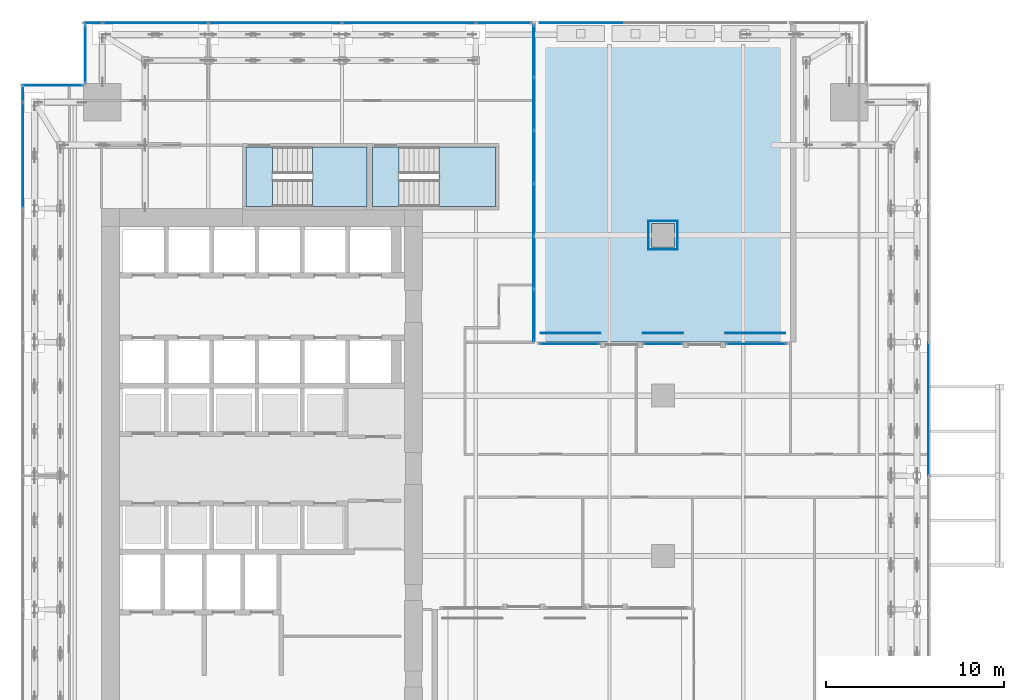
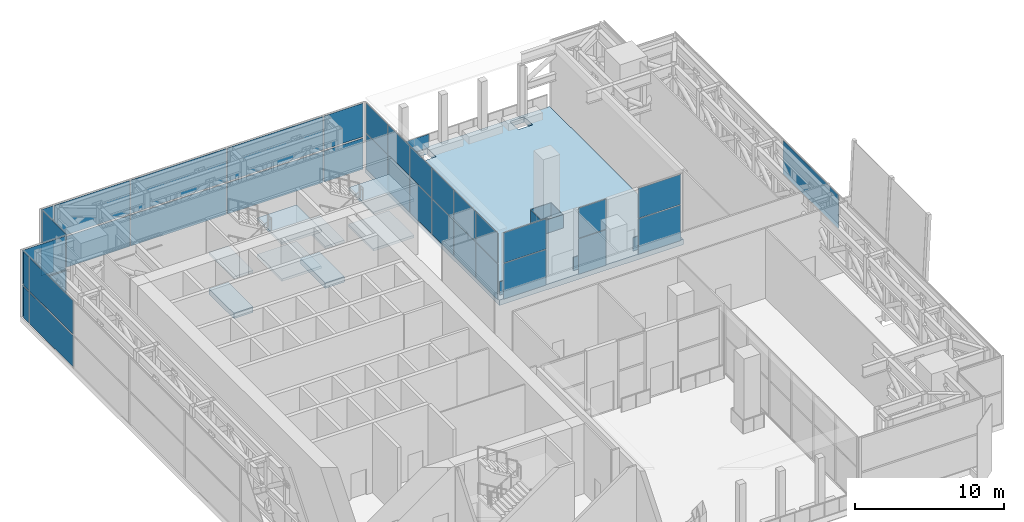
# One storey, part 34 of 47: 45 plates, 9 slabs, 11 elements without a shape of their own.
"""IFC4 building model written with IfcOpenShell, lengths in metres."""

from ifc_helpers import new_model, si_unit, direction, frame, origin, origin_2d, place, context, subcontext, project, spatial, polyline, rectangle, outline, extrude, source, transform, mapped, material, layer, layer_set, type_object, element, aggregate, save


model = new_model("IFC4")

# Units and contexts
model_context = context("Model", 3, precision=1e-05, world=origin(), true_north=direction((0.0, 1.0)))
body_context = subcontext(model_context, "Body", "Model", "MODEL_VIEW")
ifc_project = project(units=[si_unit("LENGTHUNIT", "METRE"), si_unit("AREAUNIT", "SQUARE_METRE"), si_unit("VOLUMEUNIT", "CUBIC_METRE"), si_unit("PLANEANGLEUNIT", "RADIAN"), si_unit("MASSUNIT", "GRAM", prefix="KILO")], contexts=[model_context])

# Site, building, storey
site_placement = place(None, origin())
site = spatial("IfcSite", under=ifc_project, at=site_placement, CompositionType="ELEMENT")
building_placement = place(site_placement, origin())
building = spatial("IfcBuilding", under=site, at=building_placement, Name="Khomas Fold Tower", CompositionType="ELEMENT")
storey_placement = place(building_placement, frame((0.0, 0.0, 158.699951171875)))
storey = spatial("IfcBuildingStorey", under=building, at=storey_placement, Name="L34", CompositionType="ELEMENT", Elevation=158.699951171875)

# Slab
ifc_material_1 = material(Name="Concrete C40/50", Category="concrete")
ifc_layer_1 = layer(ifc_material_1, 0.449951171875)
ifc_layer_set_1 = layer_set([ifc_layer_1], Name="Concrete C40/50")
slab_type_1 = type_object("IfcSlabType", Name="RC terrace slab 450", PredefinedType="FLOOR", material=ifc_layer_set_1)
shared_shape_1 = source(origin(), body_context, "Body", "SweptSolid", [
    extrude(outline(polyline([(30.35009765625, 34.5), (44.64990234375, 34.5), (44.64990234375, 52.5), (30.35009765625, 52.5), (30.35009765625, 34.5)]), holes=[polyline([(33.945068359375, 51.195068359375), (33.945068359375, 52.304931640625), (35.054931640625, 52.304931640625), (35.054931640625, 51.195068359375), (33.945068359375, 51.195068359375)]), polyline([(36.844970703125, 39.844970703125), (36.844970703125, 41.155029296875), (38.155029296875, 41.155029296875), (38.155029296875, 39.844970703125), (36.844970703125, 39.844970703125)]), polyline([(41.445068359375, 51.195068359375), (41.445068359375, 52.304931640625), (42.554931640625, 52.304931640625), (42.554931640625, 51.195068359375), (41.445068359375, 51.195068359375)])]), origin(), (0.0, 0.0, 1.0), 0.449951171875),
])
slab_1_placement = place(storey_placement, frame((0.0, 0.0, -0.449951171875)))
element("IfcSlab", 1, at=slab_1_placement, inside=storey, type_object=slab_type_1, Name="Garden terrace slab", PredefinedType="FLOOR", context=body_context, shape_type="MappedRepresentation", body=[
    mapped(shared_shape_1, transform((0.0, 0.0, 0.0))),
])

# Curtain wall, plates
ifc_material_2 = material(Name="Aluminium framed double glazing", Category="aluminium")
curtain_wall_type_1 = type_object("IfcCurtainWallType", Name="SK-Unitised clear-glass wall, growing floors CW1", PredefinedType="NOTDEFINED", material=ifc_material_2)
curtain_wall_1_placement = place(storey_placement, origin())
curtain_wall_1 = element("IfcCurtainWall", 2, at=curtain_wall_1_placement, inside=storey, type_object=curtain_wall_type_1, Name="CW1 corner return L34 17", PredefinedType="NOTDEFINED")
ifc_material_3 = material(Name="Insulated metal spandrel panel")
ifc_layer_2 = layer(ifc_material_3, 0.031982421875)
ifc_layer_set_2 = layer_set([ifc_layer_2], Name="Insulated metal spandrel panel")
plate_type_1 = type_object("IfcPlateType", Name="SK-Unitised clear-glass wall, growing floors spandrel panel CW1-S", PredefinedType="CURTAIN_PANEL", material=ifc_layer_set_2)
shared_shape_2 = source(origin(), body_context, "Body", "SweptSolid", [
    extrude(rectangle(XDim=3.3798828125, YDim=0.031982421875, at=origin_2d()), origin(), (0.0, 0.0, 1.0), 2.752685546875),
])
plate_1_placement = place(storey_placement, frame((3.25, 48.89990234375, 2.67724609375), z_axis=(0.0, 0.0, 1.0), x_axis=(-1.0, 0.0, 0.0)))
plate_1 = element("IfcPlate", 3, at=plate_1_placement, type_object=plate_type_1, Name="CW1 spandrel panel 1", PredefinedType="CURTAIN_PANEL", context=body_context, shape_type="MappedRepresentation", body=[
    mapped(shared_shape_2, transform((0.0, 0.0, 0.0))),
])
ifc_material_4 = material(Name="Clear double glazed unit")
ifc_layer_3 = layer(ifc_material_4, 0.031982421875)
ifc_layer_set_3 = layer_set([ifc_layer_3], Name="Clear double glazed unit")
plate_type_2 = type_object("IfcPlateType", Name="SK-Unitised clear-glass wall, growing floors glass panel CW1-P", PredefinedType="CURTAIN_PANEL", material=ifc_layer_set_3)
shared_shape_3 = source(origin(), body_context, "Body", "SweptSolid", [
    extrude(rectangle(XDim=3.3798828125, YDim=0.031982421875, at=origin_2d()), origin(), (0.0, 0.0, 1.0), 2.55712890625),
])
plate_2_placement = place(storey_placement, frame((3.25, 48.89990234375, 0.0), z_axis=(0.0, 0.0, 1.0), x_axis=(-1.0, 0.0, 0.0)))
plate_2 = element("IfcPlate", 4, at=plate_2_placement, type_object=plate_type_2, Name="CW1 glass panel 1", PredefinedType="CURTAIN_PANEL", context=body_context, shape_type="MappedRepresentation", body=[
    mapped(shared_shape_3, transform((0.0, 0.0, 0.0))),
])
aggregate(curtain_wall_1, [plate_1, plate_2])

curtain_wall_2_placement = place(storey_placement, origin())
curtain_wall_2 = element("IfcCurtainWall", 5, at=curtain_wall_2_placement, inside=storey, type_object=curtain_wall_type_1, Name="CW1 run L34 18-0", PredefinedType="NOTDEFINED")
shared_shape_4 = source(origin(), body_context, "Body", "SweptSolid", [
    extrude(rectangle(XDim=0.760009765625, YDim=0.031982421875, at=origin_2d()), origin(), (0.0, 0.0, 1.0), 2.752685546875),
])
plate_3_placement = place(storey_placement, frame((1.60009765625, 48.360107421875, 2.67724609375), z_axis=(0.0, 0.0, 1.0), x_axis=(0.0, -1.0, 0.0)))
plate_3 = element("IfcPlate", 6, at=plate_3_placement, type_object=plate_type_1, Name="CW1 spandrel panel 1", PredefinedType="CURTAIN_PANEL", context=body_context, shape_type="MappedRepresentation", body=[
    mapped(shared_shape_4, transform((0.0, 0.0, 0.0))),
])
shared_shape_5 = source(origin(), body_context, "Body", "SweptSolid", [
    extrude(rectangle(XDim=0.760009765625, YDim=0.031982421875, at=origin_2d()), origin(), (0.0, 0.0, 1.0), 2.55712890625),
])
plate_4_placement = place(storey_placement, frame((1.60009765625, 48.360107421875, 0.0), z_axis=(0.0, 0.0, 1.0), x_axis=(0.0, -1.0, 0.0)))
plate_4 = element("IfcPlate", 7, at=plate_4_placement, type_object=plate_type_2, Name="CW1 glass panel 1", PredefinedType="CURTAIN_PANEL", context=body_context, shape_type="MappedRepresentation", body=[
    mapped(shared_shape_5, transform((0.0, 0.0, 0.0))),
])

# Curtain wall, plate
curtain_wall_3_placement = place(storey_placement, origin())
curtain_wall_3 = element("IfcCurtainWall", 8, at=curtain_wall_3_placement, inside=storey, type_object=curtain_wall_type_1, Name="CW1 run L34 15-0", PredefinedType="NOTDEFINED")
shared_shape_6 = source(origin(), body_context, "Body", "SweptSolid", [
    extrude(rectangle(XDim=5.889892578125, YDim=0.031982421875, at=origin_2d()), origin(), (0.0, 0.0, 1.0), 2.752685546875),
])
plate_5_placement = place(storey_placement, frame((9.02490234375, 52.39990234375, 2.67724609375), z_axis=(0.0, 0.0, 1.0), x_axis=(-1.0, 0.0, 0.0)))
plate_5 = element("IfcPlate", 9, at=plate_5_placement, type_object=plate_type_1, Name="CW1 spandrel panel 4", PredefinedType="CURTAIN_PANEL", context=body_context, shape_type="MappedRepresentation", body=[
    mapped(shared_shape_6, transform((0.0, 0.0, 0.0))),
])

# Plate
plate_6_placement = place(storey_placement, frame((1.60009765625, 44.97509765625, 2.67724609375), z_axis=(0.0, 0.0, 1.0), x_axis=(0.0, -1.0, 0.0)))
plate_6 = element("IfcPlate", 10, at=plate_6_placement, type_object=plate_type_1, Name="CW1 spandrel panel 2", PredefinedType="CURTAIN_PANEL", context=body_context, shape_type="MappedRepresentation", body=[
    mapped(shared_shape_6, transform((0.0, 0.0, 0.0))),
])

shared_shape_7 = source(origin(), body_context, "Body", "SweptSolid", [
    extrude(rectangle(XDim=5.889892578125, YDim=0.031982421875, at=origin_2d()), origin(), (0.0, 0.0, 1.0), 2.55712890625),
])
plate_7_placement = place(storey_placement, frame((9.02490234375, 52.39990234375, 0.0), z_axis=(0.0, 0.0, 1.0), x_axis=(-1.0, 0.0, 0.0)))
plate_7 = element("IfcPlate", 11, at=plate_7_placement, type_object=plate_type_2, Name="CW1 glass panel 4", PredefinedType="CURTAIN_PANEL", context=body_context, shape_type="MappedRepresentation", body=[
    mapped(shared_shape_7, transform((0.0, 0.0, 0.0))),
])

plate_8_placement = place(storey_placement, frame((1.60009765625, 44.97509765625, 0.0), z_axis=(0.0, 0.0, 1.0), x_axis=(0.0, -1.0, 0.0)))
plate_8 = element("IfcPlate", 12, at=plate_8_placement, type_object=plate_type_2, Name="CW1 glass panel 2", PredefinedType="CURTAIN_PANEL", context=body_context, shape_type="MappedRepresentation", body=[
    mapped(shared_shape_7, transform((0.0, 0.0, 0.0))),
])

aggregate(curtain_wall_2, [plate_3, plate_4, plate_6, plate_8])

# Curtain wall, plate
curtain_wall_4_placement = place(storey_placement, origin())
curtain_wall_4 = element("IfcCurtainWall", 13, at=curtain_wall_4_placement, inside=storey, type_object=curtain_wall_type_1, Name="CW1 run L34 08-0", PredefinedType="NOTDEFINED")
shared_shape_8 = source(origin(), body_context, "Body", "SweptSolid", [
    extrude(rectangle(XDim=7.43994140625, YDim=0.031982421875, at=origin_2d()), origin(), (0.0, 0.0, 1.0), 2.752685546875),
])
plate_9_placement = place(storey_placement, frame((52.39990234375, 30.75, 2.67724609375), z_axis=(0.0, 0.0, 1.0), x_axis=(0.0, 1.0, 0.0)))
plate_9 = element("IfcPlate", 14, at=plate_9_placement, type_object=plate_type_1, Name="CW1 spandrel panel 5", PredefinedType="CURTAIN_PANEL", context=body_context, shape_type="MappedRepresentation", body=[
    mapped(shared_shape_8, transform((0.0, 0.0, 0.0))),
])
aggregate(curtain_wall_4, [plate_9])

# Plate
plate_10_placement = place(storey_placement, frame((23.25, 52.39990234375, 2.67724609375), z_axis=(0.0, 0.0, 1.0), x_axis=(-1.0, 0.0, 0.0)))
plate_10 = element("IfcPlate", 15, at=plate_10_placement, type_object=plate_type_1, Name="CW1 spandrel panel 2", PredefinedType="CURTAIN_PANEL", context=body_context, shape_type="MappedRepresentation", body=[
    mapped(shared_shape_8, transform((0.0, 0.0, 0.0))),
])

plate_11_placement = place(storey_placement, frame((15.75, 52.39990234375, 2.67724609375), z_axis=(0.0, 0.0, 1.0), x_axis=(-1.0, 0.0, 0.0)))
plate_11 = element("IfcPlate", 16, at=plate_11_placement, type_object=plate_type_1, Name="CW1 spandrel panel 3", PredefinedType="CURTAIN_PANEL", context=body_context, shape_type="MappedRepresentation", body=[
    mapped(shared_shape_8, transform((0.0, 0.0, 0.0))),
])

shared_shape_9 = source(origin(), body_context, "Body", "SweptSolid", [
    extrude(rectangle(XDim=7.43994140625, YDim=0.031982421875, at=origin_2d()), origin(), (0.0, 0.0, 1.0), 2.55712890625),
])
plate_12_placement = place(storey_placement, frame((23.25, 52.39990234375, 0.0), z_axis=(0.0, 0.0, 1.0), x_axis=(-1.0, 0.0, 0.0)))
plate_12 = element("IfcPlate", 17, at=plate_12_placement, type_object=plate_type_2, Name="CW1 glass panel 2", PredefinedType="CURTAIN_PANEL", context=body_context, shape_type="MappedRepresentation", body=[
    mapped(shared_shape_9, transform((0.0, 0.0, 0.0))),
])

plate_13_placement = place(storey_placement, frame((15.75, 52.39990234375, 0.0), z_axis=(0.0, 0.0, 1.0), x_axis=(-1.0, 0.0, 0.0)))
plate_13 = element("IfcPlate", 18, at=plate_13_placement, type_object=plate_type_2, Name="CW1 glass panel 3", PredefinedType="CURTAIN_PANEL", context=body_context, shape_type="MappedRepresentation", body=[
    mapped(shared_shape_9, transform((0.0, 0.0, 0.0))),
])

# Curtain wall, plates
curtain_wall_5_placement = place(storey_placement, origin())
curtain_wall_5 = element("IfcCurtainWall", 19, at=curtain_wall_5_placement, inside=storey, type_object=curtain_wall_type_1, Name="CW1 corner return L34 16", PredefinedType="NOTDEFINED")
shared_shape_10 = source(origin(), body_context, "Body", "SweptSolid", [
    extrude(rectangle(XDim=3.179931640625, YDim=0.031982421875, at=origin_2d()), origin(), (0.0, 0.0, 1.0), 2.752685546875),
])
plate_14_placement = place(storey_placement, frame((5.10009765625, 50.64990234375, 2.67724609375), z_axis=(0.0, 0.0, 1.0), x_axis=(0.0, -1.0, 0.0)))
plate_14 = element("IfcPlate", 20, at=plate_14_placement, type_object=plate_type_1, Name="CW1 spandrel panel 1", PredefinedType="CURTAIN_PANEL", context=body_context, shape_type="MappedRepresentation", body=[
    mapped(shared_shape_10, transform((0.0, 0.0, 0.0))),
])
shared_shape_11 = source(origin(), body_context, "Body", "SweptSolid", [
    extrude(rectangle(XDim=3.179931640625, YDim=0.031982421875, at=origin_2d()), origin(), (0.0, 0.0, 1.0), 2.55712890625),
])
plate_15_placement = place(storey_placement, frame((5.10009765625, 50.64990234375, 0.0), z_axis=(0.0, 0.0, 1.0), x_axis=(0.0, -1.0, 0.0)))
plate_15 = element("IfcPlate", 21, at=plate_15_placement, type_object=plate_type_2, Name="CW1 glass panel 1", PredefinedType="CURTAIN_PANEL", context=body_context, shape_type="MappedRepresentation", body=[
    mapped(shared_shape_11, transform((0.0, 0.0, 0.0))),
])
aggregate(curtain_wall_5, [plate_14, plate_15])

# Plate
shared_shape_12 = source(origin(), body_context, "Body", "SweptSolid", [
    extrude(rectangle(XDim=0.9599609375, YDim=0.031982421875, at=origin_2d()), origin(), (0.0, 0.0, 1.0), 2.752685546875),
])
plate_16_placement = place(storey_placement, frame((5.5400390625, 52.39990234375, 2.67724609375), z_axis=(0.0, 0.0, 1.0), x_axis=(-1.0, 0.0, 0.0)))
plate_16 = element("IfcPlate", 22, at=plate_16_placement, type_object=plate_type_1, Name="CW1 spandrel panel 5", PredefinedType="CURTAIN_PANEL", context=body_context, shape_type="MappedRepresentation", body=[
    mapped(shared_shape_12, transform((0.0, 0.0, 0.0))),
])

shared_shape_13 = source(origin(), body_context, "Body", "SweptSolid", [
    extrude(rectangle(XDim=0.9599609375, YDim=0.031982421875, at=origin_2d()), origin(), (0.0, 0.0, 1.0), 2.55712890625),
])
plate_17_placement = place(storey_placement, frame((5.5400390625, 52.39990234375, 0.0), z_axis=(0.0, 0.0, 1.0), x_axis=(-1.0, 0.0, 0.0)))
plate_17 = element("IfcPlate", 23, at=plate_17_placement, type_object=plate_type_2, Name="CW1 glass panel 5", PredefinedType="CURTAIN_PANEL", context=body_context, shape_type="MappedRepresentation", body=[
    mapped(shared_shape_13, transform((0.0, 0.0, 0.0))),
])

shared_shape_14 = source(origin(), body_context, "Body", "SweptSolid", [
    extrude(rectangle(XDim=3.06005859375, YDim=0.031982421875, at=origin_2d()), origin(), (0.0, 0.0, 1.0), 2.752685546875),
])
plate_18_placement = place(storey_placement, frame((28.56005859375, 52.39990234375, 2.67724609375), z_axis=(0.0, 0.0, 1.0), x_axis=(-1.0, 0.0, 0.0)))
plate_18 = element("IfcPlate", 24, at=plate_18_placement, type_object=plate_type_1, Name="CW1 spandrel panel 1", PredefinedType="CURTAIN_PANEL", context=body_context, shape_type="MappedRepresentation", body=[
    mapped(shared_shape_14, transform((0.0, 0.0, 0.0))),
])

shared_shape_15 = source(origin(), body_context, "Body", "SweptSolid", [
    extrude(rectangle(XDim=3.06005859375, YDim=0.031982421875, at=origin_2d()), origin(), (0.0, 0.0, 1.0), 2.55712890625),
])
plate_19_placement = place(storey_placement, frame((28.56005859375, 52.39990234375, 0.0), z_axis=(0.0, 0.0, 1.0), x_axis=(-1.0, 0.0, 0.0)))
plate_19 = element("IfcPlate", 25, at=plate_19_placement, type_object=plate_type_2, Name="CW1 glass panel 1", PredefinedType="CURTAIN_PANEL", context=body_context, shape_type="MappedRepresentation", body=[
    mapped(shared_shape_15, transform((0.0, 0.0, 0.0))),
])

aggregate(curtain_wall_3, [plate_18, plate_19, plate_10, plate_12, plate_11, plate_13, plate_5, plate_7, plate_16, plate_17])

# Curtain wall, plate
ifc_material_5 = material(Name="Aluminium framed double glazing", Category="aluminium")
curtain_wall_type_2 = type_object("IfcCurtainWallType", Name="Notch glazing GN-CW", PredefinedType="NOTDEFINED", material=ifc_material_5)
curtain_wall_6_placement = place(storey_placement, origin())
curtain_wall_6 = element("IfcCurtainWall", 26, at=curtain_wall_6_placement, inside=storey, type_object=curtain_wall_type_2, Name="Notch glazing run", PredefinedType="NOTDEFINED")
ifc_material_6 = material(Name="Double glazed unit")
ifc_layer_4 = layer(ifc_material_6, 0.031982421875)
ifc_layer_set_4 = layer_set([ifc_layer_4], Name="Double glazed unit")
plate_type_3 = type_object("IfcPlateType", Name="Notch glazing panel GN-CW-P", PredefinedType="CURTAIN_PANEL", material=ifc_layer_set_4)
shared_shape_16 = source(origin(), body_context, "Body", "SweptSolid", [
    extrude(rectangle(XDim=3.313232421875, YDim=0.031982421875, at=origin_2d()), origin(), (0.0, 0.0, 1.0), 2.909912109375),
])
plate_20_placement = place(storey_placement, frame((42.7333984375, 34.39990234375, 0.06005859375), z_axis=(0.0, 0.0, 1.0), x_axis=(-1.0, 0.0, 0.0)))
plate_20 = element("IfcPlate", 27, at=plate_20_placement, type_object=plate_type_3, Name="GN-CW panel 1.1", PredefinedType="CURTAIN_PANEL", context=body_context, shape_type="MappedRepresentation", body=[
    mapped(shared_shape_16, transform((0.0, 0.0, 0.0))),
])

curtain_wall_7_placement = place(storey_placement, origin())
curtain_wall_7 = element("IfcCurtainWall", 28, at=curtain_wall_7_placement, inside=storey, type_object=curtain_wall_type_2, Name="Notch glazing run", PredefinedType="NOTDEFINED")
plate_21_placement = place(storey_placement, frame((32.2666015625, 34.39990234375, 0.06005859375), z_axis=(0.0, 0.0, 1.0), x_axis=(-1.0, 0.0, 0.0)))
plate_21 = element("IfcPlate", 29, at=plate_21_placement, type_object=plate_type_3, Name="GN-CW panel 1.1", PredefinedType="CURTAIN_PANEL", context=body_context, shape_type="MappedRepresentation", body=[
    mapped(shared_shape_16, transform((0.0, 0.0, 0.0))),
])

# Plate
shared_shape_17 = source(origin(), body_context, "Body", "SweptSolid", [
    extrude(rectangle(XDim=3.313232421875, YDim=0.031982421875, at=origin_2d()), origin(), (0.0, 0.0, 1.0), 2.4599609375),
])
plate_22_placement = place(storey_placement, frame((42.7333984375, 34.39990234375, 3.030029296875), z_axis=(0.0, 0.0, 1.0), x_axis=(-1.0, 0.0, 0.0)))
plate_22 = element("IfcPlate", 30, at=plate_22_placement, type_object=plate_type_3, Name="GN-CW panel 1.2", PredefinedType="CURTAIN_PANEL", context=body_context, shape_type="MappedRepresentation", body=[
    mapped(shared_shape_17, transform((0.0, 0.0, 0.0))),
])

aggregate(curtain_wall_6, [plate_20, plate_22])

plate_23_placement = place(storey_placement, frame((32.2666015625, 34.39990234375, 3.030029296875), z_axis=(0.0, 0.0, 1.0), x_axis=(-1.0, 0.0, 0.0)))
plate_23 = element("IfcPlate", 31, at=plate_23_placement, type_object=plate_type_3, Name="GN-CW panel 1.2", PredefinedType="CURTAIN_PANEL", context=body_context, shape_type="MappedRepresentation", body=[
    mapped(shared_shape_17, transform((0.0, 0.0, 0.0))),
])

aggregate(curtain_wall_7, [plate_21, plate_23])

# Curtain wall, plates
curtain_wall_8_placement = place(storey_placement, origin())
curtain_wall_8 = element("IfcCurtainWall", 32, at=curtain_wall_8_placement, inside=storey, type_object=curtain_wall_type_2, Name="Notch glazing run", PredefinedType="NOTDEFINED")
shared_shape_18 = source(origin(), body_context, "Body", "SweptSolid", [
    extrude(rectangle(XDim=2.11328125, YDim=0.031982421875, at=origin_2d()), origin(), (0.0, 0.0, 1.0), 2.909912109375),
])
plate_24_placement = place(storey_placement, frame((37.5, 34.39990234375, 0.06005859375), z_axis=(0.0, 0.0, 1.0), x_axis=(-1.0, 0.0, 0.0)))
plate_24 = element("IfcPlate", 33, at=plate_24_placement, type_object=plate_type_3, Name="GN-CW panel 1.1", PredefinedType="CURTAIN_PANEL", context=body_context, shape_type="MappedRepresentation", body=[
    mapped(shared_shape_18, transform((0.0, 0.0, 0.0))),
])
shared_shape_19 = source(origin(), body_context, "Body", "SweptSolid", [
    extrude(rectangle(XDim=2.11328125, YDim=0.031982421875, at=origin_2d()), origin(), (0.0, 0.0, 1.0), 2.4599609375),
])
plate_25_placement = place(storey_placement, frame((37.5, 34.39990234375, 3.030029296875), z_axis=(0.0, 0.0, 1.0), x_axis=(-1.0, 0.0, 0.0)))
plate_25 = element("IfcPlate", 34, at=plate_25_placement, type_object=plate_type_3, Name="GN-CW panel 1.2", PredefinedType="CURTAIN_PANEL", context=body_context, shape_type="MappedRepresentation", body=[
    mapped(shared_shape_19, transform((0.0, 0.0, 0.0))),
])
aggregate(curtain_wall_8, [plate_24, plate_25])

curtain_wall_9_placement = place(storey_placement, origin())
curtain_wall_9 = element("IfcCurtainWall", 35, at=curtain_wall_9_placement, inside=storey, type_object=curtain_wall_type_2, Name="Notch glazing run", PredefinedType="NOTDEFINED")
shared_shape_20 = source(origin(), body_context, "Body", "SweptSolid", [
    extrude(rectangle(XDim=2.876708984375, YDim=0.031982421875, at=origin_2d()), origin(), (0.0, 0.0, 1.0), 2.909912109375),
])
plate_26_placement = place(storey_placement, frame((30.25, 35.998291015625, 0.06005859375), z_axis=(0.0, 0.0, 1.0), x_axis=(0.0, 1.0, 0.0)))
plate_26 = element("IfcPlate", 36, at=plate_26_placement, type_object=plate_type_3, Name="GN-CW panel 1.1", PredefinedType="CURTAIN_PANEL", context=body_context, shape_type="MappedRepresentation", body=[
    mapped(shared_shape_20, transform((0.0, 0.0, 0.0))),
])
plate_27_placement = place(storey_placement, frame((30.25, 50.8017578125, 0.06005859375), z_axis=(0.0, 0.0, 1.0), x_axis=(0.0, 1.0, 0.0)))
plate_27 = element("IfcPlate", 37, at=plate_27_placement, type_object=plate_type_3, Name="GN-CW panel 6.1", PredefinedType="CURTAIN_PANEL", context=body_context, shape_type="MappedRepresentation", body=[
    mapped(shared_shape_20, transform((0.0, 0.0, 0.0))),
])
shared_shape_21 = source(origin(), body_context, "Body", "SweptSolid", [
    extrude(rectangle(XDim=2.876708984375, YDim=0.031982421875, at=origin_2d()), origin(), (0.0, 0.0, 1.0), 2.4599609375),
])
plate_28_placement = place(storey_placement, frame((30.25, 35.998291015625, 3.030029296875), z_axis=(0.0, 0.0, 1.0), x_axis=(0.0, 1.0, 0.0)))
plate_28 = element("IfcPlate", 38, at=plate_28_placement, type_object=plate_type_3, Name="GN-CW panel 1.2", PredefinedType="CURTAIN_PANEL", context=body_context, shape_type="MappedRepresentation", body=[
    mapped(shared_shape_21, transform((0.0, 0.0, 0.0))),
])
plate_29_placement = place(storey_placement, frame((30.25, 50.8017578125, 3.030029296875), z_axis=(0.0, 0.0, 1.0), x_axis=(0.0, 1.0, 0.0)))
plate_29 = element("IfcPlate", 39, at=plate_29_placement, type_object=plate_type_3, Name="GN-CW panel 6.2", PredefinedType="CURTAIN_PANEL", context=body_context, shape_type="MappedRepresentation", body=[
    mapped(shared_shape_21, transform((0.0, 0.0, 0.0))),
])
shared_shape_22 = source(origin(), body_context, "Body", "SweptSolid", [
    extrude(rectangle(XDim=2.90673828125, YDim=0.031982421875, at=origin_2d()), origin(), (0.0, 0.0, 1.0), 2.909912109375),
])
plate_30_placement = place(storey_placement, frame((30.25, 38.949951171875, 0.06005859375), z_axis=(0.0, 0.0, 1.0), x_axis=(0.0, 1.0, 0.0)))
plate_30 = element("IfcPlate", 40, at=plate_30_placement, type_object=plate_type_3, Name="GN-CW panel 2.1", PredefinedType="CURTAIN_PANEL", context=body_context, shape_type="MappedRepresentation", body=[
    mapped(shared_shape_22, transform((0.0, 0.0, 0.0))),
])
plate_31_placement = place(storey_placement, frame((30.25, 41.916748046875, 0.06005859375), z_axis=(0.0, 0.0, 1.0), x_axis=(0.0, 1.0, 0.0)))
plate_31 = element("IfcPlate", 41, at=plate_31_placement, type_object=plate_type_3, Name="GN-CW panel 3.1", PredefinedType="CURTAIN_PANEL", context=body_context, shape_type="MappedRepresentation", body=[
    mapped(shared_shape_22, transform((0.0, 0.0, 0.0))),
])
plate_32_placement = place(storey_placement, frame((30.25, 44.88330078125, 0.06005859375), z_axis=(0.0, 0.0, 1.0), x_axis=(0.0, 1.0, 0.0)))
plate_32 = element("IfcPlate", 42, at=plate_32_placement, type_object=plate_type_3, Name="GN-CW panel 4.1", PredefinedType="CURTAIN_PANEL", context=body_context, shape_type="MappedRepresentation", body=[
    mapped(shared_shape_22, transform((0.0, 0.0, 0.0))),
])
plate_33_placement = place(storey_placement, frame((30.25, 47.85009765625, 0.06005859375), z_axis=(0.0, 0.0, 1.0), x_axis=(0.0, 1.0, 0.0)))
plate_33 = element("IfcPlate", 43, at=plate_33_placement, type_object=plate_type_3, Name="GN-CW panel 5.1", PredefinedType="CURTAIN_PANEL", context=body_context, shape_type="MappedRepresentation", body=[
    mapped(shared_shape_22, transform((0.0, 0.0, 0.0))),
])
shared_shape_23 = source(origin(), body_context, "Body", "SweptSolid", [
    extrude(rectangle(XDim=2.90673828125, YDim=0.031982421875, at=origin_2d()), origin(), (0.0, 0.0, 1.0), 2.4599609375),
])
plate_34_placement = place(storey_placement, frame((30.25, 38.949951171875, 3.030029296875), z_axis=(0.0, 0.0, 1.0), x_axis=(0.0, 1.0, 0.0)))
plate_34 = element("IfcPlate", 44, at=plate_34_placement, type_object=plate_type_3, Name="GN-CW panel 2.2", PredefinedType="CURTAIN_PANEL", context=body_context, shape_type="MappedRepresentation", body=[
    mapped(shared_shape_23, transform((0.0, 0.0, 0.0))),
])
plate_35_placement = place(storey_placement, frame((30.25, 41.916748046875, 3.030029296875), z_axis=(0.0, 0.0, 1.0), x_axis=(0.0, 1.0, 0.0)))
plate_35 = element("IfcPlate", 45, at=plate_35_placement, type_object=plate_type_3, Name="GN-CW panel 3.2", PredefinedType="CURTAIN_PANEL", context=body_context, shape_type="MappedRepresentation", body=[
    mapped(shared_shape_23, transform((0.0, 0.0, 0.0))),
])
plate_36_placement = place(storey_placement, frame((30.25, 44.88330078125, 3.030029296875), z_axis=(0.0, 0.0, 1.0), x_axis=(0.0, 1.0, 0.0)))
plate_36 = element("IfcPlate", 46, at=plate_36_placement, type_object=plate_type_3, Name="GN-CW panel 4.2", PredefinedType="CURTAIN_PANEL", context=body_context, shape_type="MappedRepresentation", body=[
    mapped(shared_shape_23, transform((0.0, 0.0, 0.0))),
])
plate_37_placement = place(storey_placement, frame((30.25, 47.85009765625, 3.030029296875), z_axis=(0.0, 0.0, 1.0), x_axis=(0.0, 1.0, 0.0)))
plate_37 = element("IfcPlate", 47, at=plate_37_placement, type_object=plate_type_3, Name="GN-CW panel 5.2", PredefinedType="CURTAIN_PANEL", context=body_context, shape_type="MappedRepresentation", body=[
    mapped(shared_shape_23, transform((0.0, 0.0, 0.0))),
])
aggregate(curtain_wall_9, [plate_26, plate_28, plate_30, plate_34, plate_31, plate_35, plate_32, plate_36, plate_33, plate_37, plate_27, plate_29])

# Plates
ifc_material_7 = material(Name="Laminated toughened glass", Category="glass")
ifc_layer_5 = layer(ifc_material_7, 0.030029296875)
ifc_layer_set_5 = layer_set([ifc_layer_5], Name="Laminated toughened glass")
plate_type_4 = type_object("IfcPlateType", Name="Guard glass infill GD-GI", PredefinedType="SHEET", material=ifc_layer_set_5)
shared_shape_24 = source(origin(), body_context, "Body", "SweptSolid", [
    extrude(rectangle(XDim=4.60009765625, YDim=0.030029296875, at=origin_2d()), origin(), (0.0, 0.0, 1.0), 1.10009765625),
])
plate_38_placement = place(storey_placement, frame((32.89990234375, 52.39990234375, 0.0), z_axis=(0.0, 0.0, 1.0), x_axis=(1.0, 0.0, 0.0)))
element("IfcPlate", 48, at=plate_38_placement, inside=storey, type_object=plate_type_4, Name="Guard glass infill", PredefinedType="SHEET", context=body_context, shape_type="MappedRepresentation", body=[
    mapped(shared_shape_24, transform((0.0, 0.0, 0.0))),
])
shared_shape_25 = source(origin(), body_context, "Body", "SweptSolid", [
    extrude(rectangle(XDim=1.610107421875, YDim=0.030029296875, at=origin_2d()), origin(), (0.0, 0.0, 1.0), 1.10009765625),
])
for number, where, z_axis, x_axis, name in (
    (49, (36.695068359375, 40.5, 0.0), (0.0, 0.0, 1.0), (0.0, 1.0, 0.0), "Guard glass infill"),
    (50, (37.5, 41.304931640625, 0.0), (0.0, 0.0, 1.0), (1.0, 0.0, 0.0), "Guard glass infill"),
    (51, (38.304931640625, 40.5, 0.0), (0.0, 0.0, 1.0), (0.0, -1.0, 0.0), "Guard glass infill"),
    (52, (37.5, 39.695068359375, 0.0), (0.0, 0.0, 1.0), (-1.0, 0.0, 0.0), "Guard glass infill"),
):
    element("IfcPlate", number, at=place(storey_placement, frame(where, z_axis=z_axis, x_axis=x_axis)), inside=storey, type_object=plate_type_4, Name=name, PredefinedType="SHEET", context=body_context, shape_type="MappedRepresentation", body=[
        mapped(shared_shape_25, transform((0.0, 0.0, 0.0))),
    ])
shared_shape_26 = source(origin(), body_context, "Body", "SweptSolid", [
    extrude(rectangle(XDim=3.333251953125, YDim=0.030029296875, at=origin_2d()), origin(), (0.0, 0.0, 1.0), 1.10009765625),
])
for number, where, z_axis, x_axis, name in (
    (53, (42.683349609375, 35.0, 0.0), (0.0, 0.0, 1.0), (-1.0, 0.0, 0.0), "Guard glass infill"),
    (54, (32.316650390625, 35.0, 0.0), (0.0, 0.0, 1.0), (-1.0, 0.0, 0.0), "Guard glass infill"),
):
    element("IfcPlate", number, at=place(storey_placement, frame(where, z_axis=z_axis, x_axis=x_axis)), inside=storey, type_object=plate_type_4, Name=name, PredefinedType="SHEET", context=body_context, shape_type="MappedRepresentation", body=[
        mapped(shared_shape_26, transform((0.0, 0.0, 0.0))),
    ])
shared_shape_27 = source(origin(), body_context, "Body", "SweptSolid", [
    extrude(rectangle(XDim=2.2333984375, YDim=0.030029296875, at=origin_2d()), origin(), (0.0, 0.0, 1.0), 1.10009765625),
])
plate_39_placement = place(storey_placement, frame((37.5, 35.0, 0.0), z_axis=(0.0, 0.0, 1.0), x_axis=(-1.0, 0.0, 0.0)))
element("IfcPlate", 55, at=plate_39_placement, inside=storey, type_object=plate_type_4, Name="Guard glass infill", PredefinedType="SHEET", context=body_context, shape_type="MappedRepresentation", body=[
    mapped(shared_shape_27, transform((0.0, 0.0, 0.0))),
])

# Stair, slabs
ifc_material_8 = material(Name="Concrete C40/50", Category="concrete")
stair_type_1 = type_object("IfcStairType", Name="Stair ST1", PredefinedType="HALF_TURN_STAIR", material=ifc_material_8)
stair_1_placement = place(storey_placement, origin())
stair_1 = element("IfcStair", 56, at=stair_1_placement, inside=storey, type_object=stair_type_1, Name="L34 ST1", PredefinedType="HALF_TURN_STAIR")
ifc_material_9 = material(Name="Concrete C40/50", Category="concrete")
ifc_layer_6 = layer(ifc_material_9, 0.199951171875)
ifc_layer_set_6 = layer_set([ifc_layer_6], Name="Concrete C40/50")
slab_type_2 = type_object("IfcSlabType", Name="Stair landing 200", PredefinedType="LANDING", material=ifc_layer_set_6)
shared_shape_28 = source(origin(), body_context, "Body", "SweptSolid", [
    extrude(outline(polyline([(14.10009765625, 42.10009765625), (15.60009765625, 42.10009765625), (15.60009765625, 45.449951171875), (14.10009765625, 45.449951171875), (14.10009765625, 42.10009765625)])), origin(), (0.0, 0.0, 1.0), 0.199951171875),
])
slab_2_placement = place(storey_placement, frame((0.0, 0.0, 2.800048828125)))
slab_2 = element("IfcSlab", 57, at=slab_2_placement, type_object=slab_type_2, Name="ST1 landing 2", PredefinedType="LANDING", context=body_context, shape_type="MappedRepresentation", body=[
    mapped(shared_shape_28, transform((0.0, 0.0, 0.0))),
])
shared_shape_29 = source(origin(), body_context, "Body", "SweptSolid", [
    extrude(outline(polyline([(17.840087890625, 42.10009765625), (20.89990234375, 42.10009765625), (20.89990234375, 45.449951171875), (17.840087890625, 45.449951171875), (17.840087890625, 42.10009765625)])), origin(), (0.0, 0.0, 1.0), 0.199951171875),
])
slab_3_placement = place(storey_placement, frame((0.0, 0.0, 1.300048828125)))
slab_3 = element("IfcSlab", 58, at=slab_3_placement, type_object=slab_type_2, Name="ST1 landing 1", PredefinedType="LANDING", context=body_context, shape_type="MappedRepresentation", body=[
    mapped(shared_shape_29, transform((0.0, 0.0, 0.0))),
])
slab_4_placement = place(storey_placement, frame((0.0, 0.0, 4.300048828125)))
slab_4 = element("IfcSlab", 59, at=slab_4_placement, type_object=slab_type_2, Name="ST1 landing 3", PredefinedType="LANDING", context=body_context, shape_type="MappedRepresentation", body=[
    mapped(shared_shape_29, transform((0.0, 0.0, 0.0))),
])
aggregate(stair_1, [slab_3, slab_2, slab_4])

# Slab
ifc_material_10 = material(Name="Concrete C40/50", Category="concrete")
ifc_layer_7 = layer(ifc_material_10, 0.449951171875)
ifc_layer_set_7 = layer_set([ifc_layer_7], Name="Concrete C40/50")
slab_type_3 = type_object("IfcSlabType", Name="Stair floor landing 450", PredefinedType="LANDING", material=ifc_layer_set_7)
shared_shape_30 = source(origin(), body_context, "Body", "SweptSolid", [
    extrude(outline(polyline([(14.10009765625, 42.10009765625), (14.10009765625, 45.449951171875), (15.60009765625, 45.449951171875), (15.60009765625, 42.10009765625), (14.10009765625, 42.10009765625)])), origin(), (0.0, 0.0, 1.0), 0.449951171875),
])
slab_5_placement = place(storey_placement, frame((0.0, 0.0, -0.449951171875)))
element("IfcSlab", 60, at=slab_5_placement, inside=storey, type_object=slab_type_3, Name="ST1 floor landing", PredefinedType="LANDING", context=body_context, shape_type="MappedRepresentation", body=[
    mapped(shared_shape_30, transform((0.0, 0.0, 0.0))),
])

# Stair, slabs
ifc_material_11 = material(Name="Concrete C40/50", Category="concrete")
stair_type_2 = type_object("IfcStairType", Name="Stair ST3", PredefinedType="HALF_TURN_STAIR", material=ifc_material_11)
stair_2_placement = place(storey_placement, origin())
stair_2 = element("IfcStair", 61, at=stair_2_placement, inside=storey, type_object=stair_type_2, Name="L34 ST3", PredefinedType="HALF_TURN_STAIR")
shared_shape_31 = source(origin(), body_context, "Body", "SweptSolid", [
    extrude(outline(polyline([(21.199951171875, 42.10009765625), (22.699951171875, 42.10009765625), (22.699951171875, 45.449951171875), (21.199951171875, 45.449951171875), (21.199951171875, 42.10009765625)])), origin(), (0.0, 0.0, 1.0), 0.199951171875),
])
slab_6_placement = place(storey_placement, frame((0.0, 0.0, 2.800048828125)))
slab_6 = element("IfcSlab", 62, at=slab_6_placement, type_object=slab_type_2, Name="ST3 landing 2", PredefinedType="LANDING", context=body_context, shape_type="MappedRepresentation", body=[
    mapped(shared_shape_31, transform((0.0, 0.0, 0.0))),
])
shared_shape_32 = source(origin(), body_context, "Body", "SweptSolid", [
    extrude(outline(polyline([(24.93994140625, 42.10009765625), (28.10009765625, 42.10009765625), (28.10009765625, 45.449951171875), (24.93994140625, 45.449951171875), (24.93994140625, 42.10009765625)])), origin(), (0.0, 0.0, 1.0), 0.199951171875),
])
slab_7_placement = place(storey_placement, frame((0.0, 0.0, 1.300048828125)))
slab_7 = element("IfcSlab", 63, at=slab_7_placement, type_object=slab_type_2, Name="ST3 landing 1", PredefinedType="LANDING", context=body_context, shape_type="MappedRepresentation", body=[
    mapped(shared_shape_32, transform((0.0, 0.0, 0.0))),
])
slab_8_placement = place(storey_placement, frame((0.0, 0.0, 4.300048828125)))
slab_8 = element("IfcSlab", 64, at=slab_8_placement, type_object=slab_type_2, Name="ST3 landing 3", PredefinedType="LANDING", context=body_context, shape_type="MappedRepresentation", body=[
    mapped(shared_shape_32, transform((0.0, 0.0, 0.0))),
])
aggregate(stair_2, [slab_7, slab_6, slab_8])

# Slab
shared_shape_33 = source(origin(), body_context, "Body", "SweptSolid", [
    extrude(outline(polyline([(21.199951171875, 42.10009765625), (21.199951171875, 45.449951171875), (22.699951171875, 45.449951171875), (22.699951171875, 42.10009765625), (21.199951171875, 42.10009765625)])), origin(), (0.0, 0.0, 1.0), 0.449951171875),
])
slab_9_placement = place(storey_placement, frame((0.0, 0.0, -0.449951171875)))
element("IfcSlab", 65, at=slab_9_placement, inside=storey, type_object=slab_type_3, Name="ST3 floor landing", PredefinedType="LANDING", context=body_context, shape_type="MappedRepresentation", body=[
    mapped(shared_shape_33, transform((0.0, 0.0, 0.0))),
])

save(model, "model.ifc")
